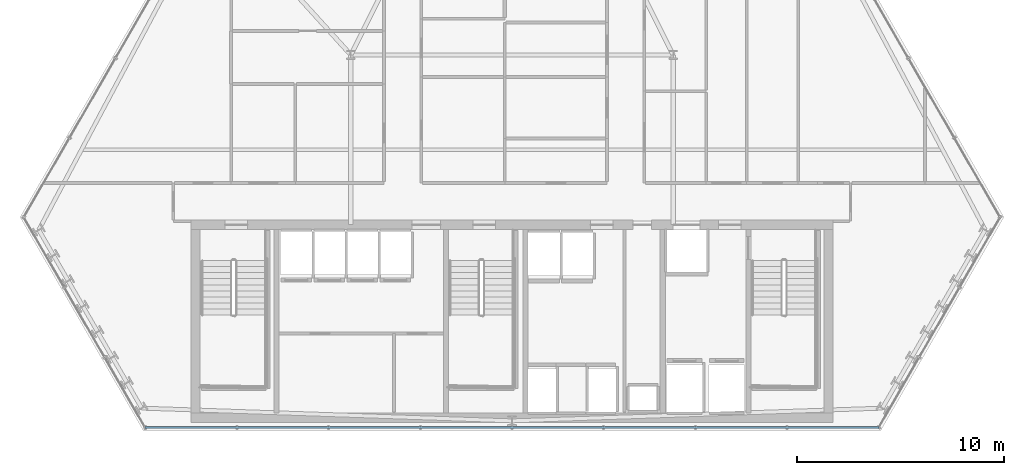
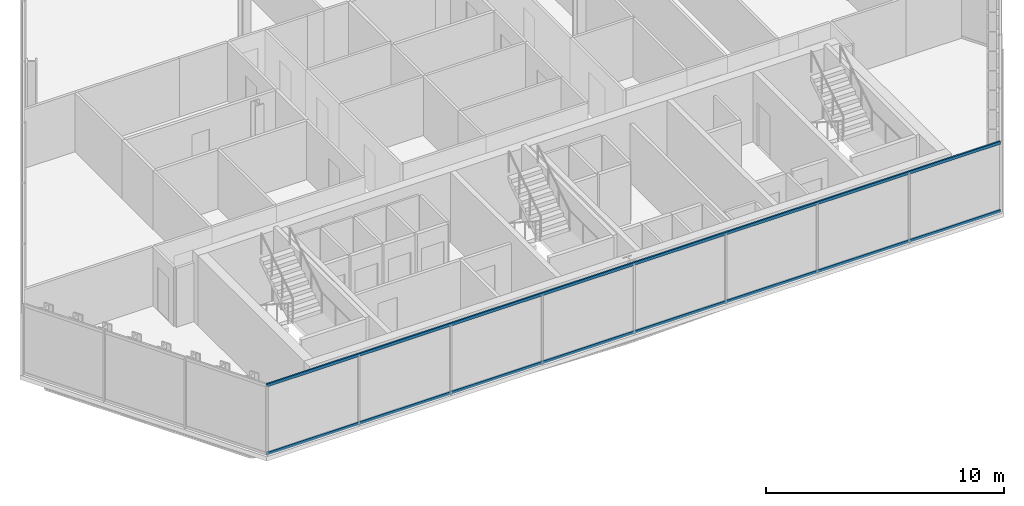
# One storey, part 8 of 31: 2 members, 1 element without a shape of its own.
"""IFC4 building model written with IfcOpenShell, lengths in metres."""

from ifc_helpers import new_model, si_unit, direction, frame, origin, origin_2d, place, context, subcontext, project, spatial, hollow_rectangle, extrude, material, layer, layer_set, material_profile, profile_set, type_object, element, aggregate, save


model = new_model("IFC4")

# Units and contexts
model_context = context("Model", 3, precision=1e-05, world=origin(), true_north=direction((0.0, 1.0)))
body_context = subcontext(model_context, "Body", "Model", "MODEL_VIEW")
ifc_project = project(units=[si_unit("LENGTHUNIT", "METRE"), si_unit("AREAUNIT", "SQUARE_METRE"), si_unit("VOLUMEUNIT", "CUBIC_METRE"), si_unit("PLANEANGLEUNIT", "RADIAN"), si_unit("MASSUNIT", "GRAM", prefix="KILO")], contexts=[model_context])

# Site, building, storey
site_placement = place(None, origin())
site = spatial("IfcSite", under=ifc_project, at=site_placement, CompositionType="ELEMENT")
building_placement = place(site_placement, origin())
building = spatial("IfcBuilding", under=site, at=building_placement, Name="Ndaravel Arena Tower", CompositionType="ELEMENT")
storey_placement = place(building_placement, frame((0.0, 0.0, 142.199951171875)))
storey = spatial("IfcBuildingStorey", under=building, at=storey_placement, Name="L33", CompositionType="ELEMENT", Elevation=142.199951171875)

# Curtain wall, members
ifc_material_1 = material(Name="Aluminium", Category="aluminium")
ifc_layer = layer(ifc_material_1, 0.179931640625)
ifc_layer_set = layer_set([ifc_layer], Name="Aluminium")
curtain_wall_type = type_object("IfcCurtainWallType", Name="CW-SYS-03", PredefinedType="NOTDEFINED", material=ifc_layer_set)
curtain_wall_placement = place(storey_placement, origin())
curtain_wall = element("IfcCurtainWall", 1, at=curtain_wall_placement, inside=storey, type_object=curtain_wall_type, Name="L33 Faceted Crystal Curtain Wall CW-L33-E01", PredefinedType="NOTDEFINED")
ifc_material_2 = material(Name="Aluminium", Category="aluminium")
ifc_material_profile = material_profile(ifc_material_2, hollow_rectangle(XDim=0.074951171875, YDim=0.14990234375, WallThickness=0.00390625, at=origin_2d()), Name="CW TRANSOM 75x150x4")
ifc_profile_set = profile_set([ifc_material_profile], Name="Aluminium")
member_type = type_object("IfcMemberType", Name="MEM-CW-TRN150", PredefinedType="USERDEFINED", material=ifc_profile_set)
member_1_placement = place(storey_placement, frame((24.23974609375, 5.159912109375, 0.0400390625), z_axis=(1.0, 0.0, 0.0), x_axis=(0.0, 1.0, 0.0)))
member_1 = element("IfcMember", 2, at=member_1_placement, type_object=member_type, Name="CW-L33-E01 Transom 01", ObjectType="TRANSOM", PredefinedType="USERDEFINED", context=body_context, shape_type="SweptSolid", body=[
    extrude(hollow_rectangle(XDim=0.074951171875, YDim=0.14990234375, WallThickness=0.00390625, at=origin_2d()), origin(), (0.0, 0.0, 1.0), 35.5205078125),
])
member_2_placement = place(storey_placement, frame((24.23974609375, 5.159912109375, 3.5400390625), z_axis=(1.0, 0.0, 0.0), x_axis=(0.0, 1.0, 0.0)))
member_2 = element("IfcMember", 3, at=member_2_placement, type_object=member_type, Name="CW-L33-E01 Transom 02", ObjectType="TRANSOM", PredefinedType="USERDEFINED", context=body_context, shape_type="SweptSolid", body=[
    extrude(hollow_rectangle(XDim=0.074951171875, YDim=0.14990234375, WallThickness=0.00390625, at=origin_2d()), origin(), (0.0, 0.0, 1.0), 35.5205078125),
])
aggregate(curtain_wall, [member_1, member_2])

save(model, "model.ifc")
